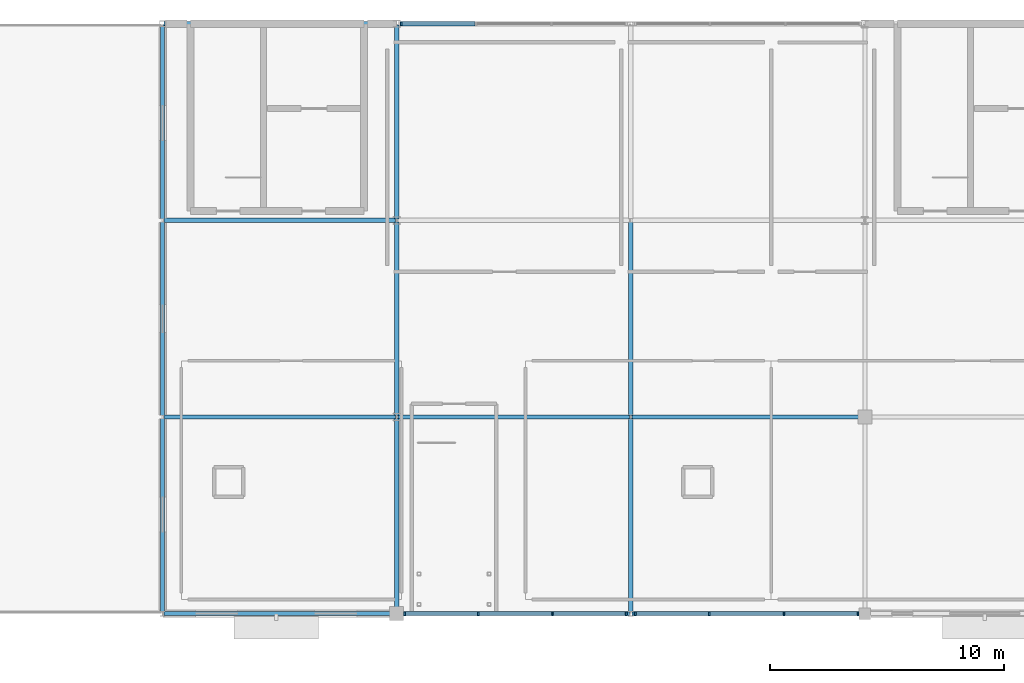
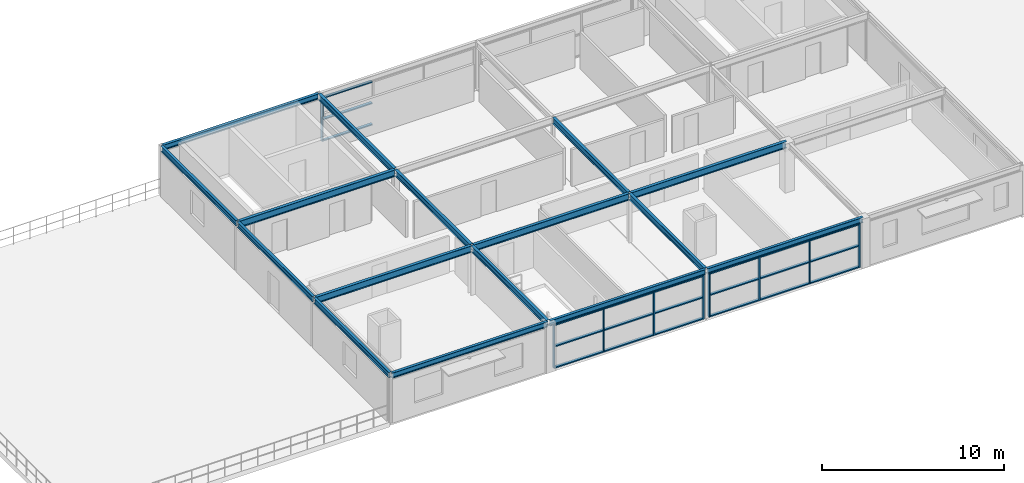
# One storey, part 7 of 12: 30 members, 16 beams, 3 elements without a shape of their own.
"""IFC4 building model written with IfcOpenShell, lengths in metres."""

from ifc_helpers import new_model, si_unit, derived_unit, direction, frame, origin, origin_2d_with_axis, place, context, subcontext, project, spatial, rectangle, i_section, extrude, material, material_profile, profile_set, type_object, element, aggregate, save


model = new_model("IFC4")

# Units and contexts
model_context = context("Model", 3, precision=1e-05, world=origin(), true_north=direction((0.0, 1.0)))
body_context = subcontext(model_context, "Body", "Model", "MODEL_VIEW")
ifc_project = project(units=[si_unit("LENGTHUNIT", "METRE"), si_unit("AREAUNIT", "SQUARE_METRE"), si_unit("VOLUMEUNIT", "CUBIC_METRE"), si_unit("PLANEANGLEUNIT", "RADIAN"), si_unit("MASSUNIT", "GRAM", prefix="KILO"), derived_unit("THERMALTRANSMITTANCEUNIT", [(si_unit("POWERUNIT", "WATT"), 1), (si_unit("LENGTHUNIT", "METRE"), -2), (si_unit("THERMODYNAMICTEMPERATUREUNIT", "KELVIN"), -1)])], contexts=[model_context])

# Site, building, storey
site_placement = place(None, origin())
site = spatial("IfcSite", under=ifc_project, at=site_placement, CompositionType="ELEMENT")
building_placement = place(site_placement, origin())
building = spatial("IfcBuilding", under=site, at=building_placement, Name="Cinnabar Yard Market Hall", CompositionType="ELEMENT")
storey_placement = place(building_placement, frame((0.0, 0.0, 15.300048828125)))
storey = spatial("IfcBuildingStorey", under=building, at=storey_placement, Name="L04", CompositionType="ELEMENT", Elevation=15.300048828125)

# Beams
ifc_material_1 = material(Name="Steel Grade 300 (300 MPa)", Category="steel")
ifc_material_profile_1 = material_profile(ifc_material_1, i_section(OverallWidth=0.18994140625, OverallDepth=0.453857421875, WebThickness=0.008544921875, FlangeThickness=0.0126953125, FilletRadius=0.011474609375, at=origin_2d_with_axis()), Name="460UB67.1")
ifc_profile_set_1 = profile_set([ifc_material_profile_1], Name="Steel Grade 300 (300 MPa)")
beam_type_1 = type_object("IfcBeamType", Name="BM-B05", PredefinedType="BEAM", material=ifc_profile_set_1)
for number, where, z_axis, x_axis, name in (
    (1, (96.06005859375, 121.199951171875, 3.072998046875), (1.0, 0.0, 0.0), (0.0, 1.0, 0.0), "V3 L04 Girder X 01453"),
    (2, (96.06005859375, 129.60009765625, 3.072998046875), (1.0, 0.0, 0.0), (0.0, 1.0, 0.0), "V3 L04 Girder X 01454"),
    (3, (106.06005859375, 121.199951171875, 3.072998046875), (1.0, 0.0, 0.0), (0.0, 1.0, 0.0), "V3 L04 Girder X 01457"),
    (4, (116.06005859375, 121.199951171875, 3.072998046875), (1.0, 0.0, 0.0), (0.0, 1.0, 0.0), "V3 L04 Girder X 01461"),
):
    element("IfcBeam", number, at=place(storey_placement, frame(where, z_axis=z_axis, x_axis=x_axis)), inside=storey, type_object=beam_type_1, Name=name, PredefinedType="BEAM", context=body_context, shape_type="SweptSolid", body=[
        extrude(i_section(OverallWidth=0.18994140625, OverallDepth=0.453857421875, WebThickness=0.008544921875, FlangeThickness=0.0126953125, FilletRadius=0.011474609375, at=origin_2d_with_axis()), origin(), (0.0, 0.0, 1.0), 9.8798828125),
    ])
ifc_material_profile_2 = material_profile(ifc_material_1, i_section(OverallWidth=0.177978515625, OverallDepth=0.406494140625, WebThickness=0.0078125, FlangeThickness=0.0126953125, FilletRadius=0.011474609375, at=origin_2d_with_axis()), Name="410UB59.7")
ifc_profile_set_2 = profile_set([ifc_material_profile_2], Name="Steel Grade 300 (300 MPa)")
beam_type_2 = type_object("IfcBeamType", Name="BM-B06", PredefinedType="BEAM", material=ifc_profile_set_2)
beam_1_placement = place(storey_placement, frame((106.0, 112.860107421875, 3.0966796875), z_axis=(0.0, 1.0, 0.0), x_axis=(-1.0, 0.0, 0.0)))
element("IfcBeam", 5, at=beam_1_placement, inside=storey, type_object=beam_type_2, Name="V3 L04 Girder Y 01471", PredefinedType="BEAM", context=body_context, shape_type="SweptSolid", body=[
    extrude(i_section(OverallWidth=0.177978515625, OverallDepth=0.406494140625, WebThickness=0.0078125, FlangeThickness=0.0126953125, FilletRadius=0.011474609375, at=origin_2d_with_axis()), origin(), (0.0, 0.0, 1.0), 8.27978515625),
])
for number, where, z_axis, x_axis, name in (
    (6, (106.0, 121.260009765625, 3.0966796875), (0.0, 1.0, 0.0), (-1.0, 0.0, 0.0), "V3 L04 Girder Y 01472"),
    (7, (106.0, 129.659912109375, 3.0966796875), (0.0, 1.0, 0.0), (-1.0, 0.0, 0.0), "V3 L04 Girder Y 01473"),
):
    element("IfcBeam", number, at=place(storey_placement, frame(where, z_axis=z_axis, x_axis=x_axis)), inside=storey, type_object=beam_type_2, Name=name, PredefinedType="BEAM", context=body_context, shape_type="SweptSolid", body=[
        extrude(i_section(OverallWidth=0.177978515625, OverallDepth=0.406494140625, WebThickness=0.0078125, FlangeThickness=0.0126953125, FilletRadius=0.011474609375, at=origin_2d_with_axis()), origin(), (0.0, 0.0, 1.0), 8.280029296875),
    ])
beam_2_placement = place(storey_placement, frame((116.0, 112.860107421875, 3.0966796875), z_axis=(0.0, 1.0, 0.0), x_axis=(-1.0, 0.0, 0.0)))
element("IfcBeam", 8, at=beam_2_placement, inside=storey, type_object=beam_type_2, Name="V3 L04 Girder Y 01474", PredefinedType="BEAM", context=body_context, shape_type="SweptSolid", body=[
    extrude(i_section(OverallWidth=0.177978515625, OverallDepth=0.406494140625, WebThickness=0.0078125, FlangeThickness=0.0126953125, FilletRadius=0.011474609375, at=origin_2d_with_axis()), origin(), (0.0, 0.0, 1.0), 8.27978515625),
])
beam_3_placement = place(storey_placement, frame((116.0, 121.260009765625, 3.0966796875), z_axis=(0.0, 1.0, 0.0), x_axis=(-1.0, 0.0, 0.0)))
element("IfcBeam", 9, at=beam_3_placement, inside=storey, type_object=beam_type_2, Name="V3 L04 Girder Y 01475", PredefinedType="BEAM", context=body_context, shape_type="SweptSolid", body=[
    extrude(i_section(OverallWidth=0.177978515625, OverallDepth=0.406494140625, WebThickness=0.0078125, FlangeThickness=0.0126953125, FilletRadius=0.011474609375, at=origin_2d_with_axis()), origin(), (0.0, 0.0, 1.0), 8.280029296875),
])
ifc_material_profile_3 = material_profile(ifc_material_1, i_section(OverallWidth=0.172119140625, OverallDepth=0.358642578125, WebThickness=0.008056640625, FlangeThickness=0.012939453125, FilletRadius=0.011474609375, at=origin_2d_with_axis()), Name="360UB56.7")
ifc_profile_set_3 = profile_set([ifc_material_profile_3], Name="Steel Grade 300 (300 MPa)")
beam_type_3 = type_object("IfcBeamType", Name="BM-SP02E", PredefinedType="SPANDREL", material=ifc_profile_set_3)
for number, where, z_axis, x_axis, name in (
    (10, (96.06005859375, 112.800048828125, 3.12060546875), (1.0, 0.0, 0.0), (0.0, 1.0, 0.0), "V3 L04 Girder X 01452"),
    (11, (96.06005859375, 138.0, 3.12060546875), (1.0, 0.0, 0.0), (0.0, 1.0, 0.0), "V3 L04 Girder X 01455"),
    (12, (106.06005859375, 112.800048828125, 3.12060546875), (1.0, 0.0, 0.0), (0.0, 1.0, 0.0), "V3 L04 Girder X 01456"),
    (13, (116.06005859375, 112.800048828125, 3.12060546875), (1.0, 0.0, 0.0), (0.0, 1.0, 0.0), "V3 L04 Girder X 01460"),
):
    element("IfcBeam", number, at=place(storey_placement, frame(where, z_axis=z_axis, x_axis=x_axis)), inside=storey, type_object=beam_type_3, Name=name, PredefinedType="SPANDREL", context=body_context, shape_type="SweptSolid", body=[
        extrude(i_section(OverallWidth=0.172119140625, OverallDepth=0.358642578125, WebThickness=0.008056640625, FlangeThickness=0.012939453125, FilletRadius=0.011474609375, at=origin_2d_with_axis()), origin(), (0.0, 0.0, 1.0), 9.8798828125),
    ])
beam_4_placement = place(storey_placement, frame((96.0, 112.860107421875, 3.12060546875), z_axis=(0.0, 1.0, 0.0), x_axis=(-1.0, 0.0, 0.0)))
element("IfcBeam", 14, at=beam_4_placement, inside=storey, type_object=beam_type_3, Name="V3 L04 Girder Y 01468", PredefinedType="SPANDREL", context=body_context, shape_type="SweptSolid", body=[
    extrude(i_section(OverallWidth=0.172119140625, OverallDepth=0.358642578125, WebThickness=0.008056640625, FlangeThickness=0.012939453125, FilletRadius=0.011474609375, at=origin_2d_with_axis()), origin(), (0.0, 0.0, 1.0), 8.27978515625),
])
for number, where, z_axis, x_axis, name in (
    (15, (96.0, 121.260009765625, 3.12060546875), (0.0, 1.0, 0.0), (-1.0, 0.0, 0.0), "V3 L04 Girder Y 01469"),
    (16, (96.0, 129.659912109375, 3.12060546875), (0.0, 1.0, 0.0), (-1.0, 0.0, 0.0), "V3 L04 Girder Y 01470"),
):
    element("IfcBeam", number, at=place(storey_placement, frame(where, z_axis=z_axis, x_axis=x_axis)), inside=storey, type_object=beam_type_3, Name=name, PredefinedType="SPANDREL", context=body_context, shape_type="SweptSolid", body=[
        extrude(i_section(OverallWidth=0.172119140625, OverallDepth=0.358642578125, WebThickness=0.008056640625, FlangeThickness=0.012939453125, FilletRadius=0.011474609375, at=origin_2d_with_axis()), origin(), (0.0, 0.0, 1.0), 8.280029296875),
    ])

# Curtain wall, members
ifc_material_2 = material(Name="Anodised bronze aluminium courtyard facade", Category="aluminium")
curtain_wall_type_1 = type_object("IfcCurtainWallType", Name="CW-CWF095x29", PredefinedType="NOTDEFINED", material=ifc_material_2)
curtain_wall_1_placement = place(storey_placement, origin())
curtain_wall_1 = element("IfcCurtainWall", 17, at=curtain_wall_1_placement, inside=storey, type_object=curtain_wall_type_1, Name="Wing South Pishtaq Glazing L04 Bay 2", PredefinedType="NOTDEFINED")
ifc_material_3 = material(Name="Anodised bronze aluminium", Category="aluminium")
ifc_material_profile_4 = material_profile(ifc_material_3, rectangle(XDim=0.179931640625, YDim=0.074951171875, at=origin_2d_with_axis()), Name="MUL-CWF")
ifc_profile_set_4 = profile_set([ifc_material_profile_4], Name="Anodised bronze aluminium")
member_type_1 = type_object("IfcMemberType", Name="CWM-CWF", PredefinedType="MULLION", material=ifc_profile_set_4)
member_1_placement = place(storey_placement, frame((106.341552734375, 112.800048828125, 0.0), z_axis=(0.0, 0.0, 1.0), x_axis=(0.0, 1.0, 0.0)))
member_1 = element("IfcMember", 18, at=member_1_placement, type_object=member_type_1, Name="CWF095x29 mullion 1", PredefinedType="MULLION", context=body_context, shape_type="SweptSolid", body=[
    extrude(rectangle(XDim=0.179931640625, YDim=0.074951171875, at=origin_2d_with_axis()), origin(), (0.0, 0.0, 1.0), 2.93994140625),
])
member_2_placement = place(storey_placement, frame((109.482666015625, 112.800048828125, 0.0), z_axis=(0.0, 0.0, 1.0), x_axis=(0.0, 1.0, 0.0)))
member_2 = element("IfcMember", 19, at=member_2_placement, type_object=member_type_1, Name="CWF095x29 mullion 2", PredefinedType="MULLION", context=body_context, shape_type="SweptSolid", body=[
    extrude(rectangle(XDim=0.179931640625, YDim=0.074951171875, at=origin_2d_with_axis()), origin(), (0.0, 0.0, 1.0), 2.93994140625),
])
member_3_placement = place(storey_placement, frame((112.661376953125, 112.800048828125, 0.0), z_axis=(0.0, 0.0, 1.0), x_axis=(0.0, 1.0, 0.0)))
member_3 = element("IfcMember", 20, at=member_3_placement, type_object=member_type_1, Name="CWF095x29 mullion 3", PredefinedType="MULLION", context=body_context, shape_type="SweptSolid", body=[
    extrude(rectangle(XDim=0.179931640625, YDim=0.074951171875, at=origin_2d_with_axis()), origin(), (0.0, 0.0, 1.0), 2.93994140625),
])
member_4_placement = place(storey_placement, frame((115.802490234375, 112.800048828125, 0.0), z_axis=(0.0, 0.0, 1.0), x_axis=(0.0, 1.0, 0.0)))
member_4 = element("IfcMember", 21, at=member_4_placement, type_object=member_type_1, Name="CWF095x29 mullion 4", PredefinedType="MULLION", context=body_context, shape_type="SweptSolid", body=[
    extrude(rectangle(XDim=0.179931640625, YDim=0.074951171875, at=origin_2d_with_axis()), origin(), (0.0, 0.0, 1.0), 2.93994140625),
])

# Curtain wall, member
curtain_wall_type_2 = type_object("IfcCurtainWallType", Name="CW-CWF097x29", PredefinedType="NOTDEFINED", material=ifc_material_2)
curtain_wall_2_placement = place(storey_placement, origin())
curtain_wall_2 = element("IfcCurtainWall", 22, at=curtain_wall_2_placement, inside=storey, type_object=curtain_wall_type_2, Name="Wing North Pishtaq Glazing L04 Bay 2", PredefinedType="NOTDEFINED")
member_5_placement = place(storey_placement, frame((106.197509765625, 138.0, 0.0), z_axis=(0.0, 0.0, 1.0), x_axis=(0.0, -1.0, 0.0)))
member_5 = element("IfcMember", 23, at=member_5_placement, type_object=member_type_1, Name="CWF097x29 mullion 4", PredefinedType="MULLION", context=body_context, shape_type="SweptSolid", body=[
    extrude(rectangle(XDim=0.179931640625, YDim=0.074951171875, at=origin_2d_with_axis()), origin(), (0.0, 0.0, 1.0), 2.93994140625),
])

# Curtain wall, members
curtain_wall_type_3 = type_object("IfcCurtainWallType", Name="CW-CWF096x29", PredefinedType="NOTDEFINED", material=ifc_material_2)
curtain_wall_3_placement = place(storey_placement, origin())
curtain_wall_3 = element("IfcCurtainWall", 24, at=curtain_wall_3_placement, inside=storey, type_object=curtain_wall_type_3, Name="Wing South Pishtaq Glazing L04 Bay 3", PredefinedType="NOTDEFINED")
member_6_placement = place(storey_placement, frame((116.197509765625, 112.800048828125, 0.0), z_axis=(0.0, 0.0, 1.0), x_axis=(0.0, 1.0, 0.0)))
member_6 = element("IfcMember", 25, at=member_6_placement, type_object=member_type_1, Name="CWF096x29 mullion 1", PredefinedType="MULLION", context=body_context, shape_type="SweptSolid", body=[
    extrude(rectangle(XDim=0.179931640625, YDim=0.074951171875, at=origin_2d_with_axis()), origin(), (0.0, 0.0, 1.0), 2.93994140625),
])
member_7_placement = place(storey_placement, frame((119.355224609375, 112.800048828125, 0.0), z_axis=(0.0, 0.0, 1.0), x_axis=(0.0, 1.0, 0.0)))
member_7 = element("IfcMember", 26, at=member_7_placement, type_object=member_type_1, Name="CWF096x29 mullion 2", PredefinedType="MULLION", context=body_context, shape_type="SweptSolid", body=[
    extrude(rectangle(XDim=0.179931640625, YDim=0.074951171875, at=origin_2d_with_axis()), origin(), (0.0, 0.0, 1.0), 2.93994140625),
])
member_8_placement = place(storey_placement, frame((122.55078125, 112.800048828125, 0.0), z_axis=(0.0, 0.0, 1.0), x_axis=(0.0, 1.0, 0.0)))
member_8 = element("IfcMember", 27, at=member_8_placement, type_object=member_type_1, Name="CWF096x29 mullion 3", PredefinedType="MULLION", context=body_context, shape_type="SweptSolid", body=[
    extrude(rectangle(XDim=0.179931640625, YDim=0.074951171875, at=origin_2d_with_axis()), origin(), (0.0, 0.0, 1.0), 2.93994140625),
])
member_9_placement = place(storey_placement, frame((125.70849609375, 112.800048828125, 0.0), z_axis=(0.0, 0.0, 1.0), x_axis=(0.0, 1.0, 0.0)))
member_9 = element("IfcMember", 28, at=member_9_placement, type_object=member_type_1, Name="CWF096x29 mullion 4", PredefinedType="MULLION", context=body_context, shape_type="SweptSolid", body=[
    extrude(rectangle(XDim=0.179931640625, YDim=0.074951171875, at=origin_2d_with_axis()), origin(), (0.0, 0.0, 1.0), 2.93994140625),
])

# Member
ifc_material_profile_5 = material_profile(ifc_material_3, rectangle(XDim=0.179931640625, YDim=0.074951171875, at=origin_2d_with_axis()), Name="TRN-CWF")
ifc_profile_set_5 = profile_set([ifc_material_profile_5], Name="Anodised bronze aluminium")
member_type_2 = type_object("IfcMemberType", Name="CWT-CWF", PredefinedType="USERDEFINED", material=ifc_profile_set_5)
member_10_placement = place(storey_placement, frame((106.37890625, 112.800048828125, 0.037353515625), z_axis=(1.0, 0.0, 0.0), x_axis=(0.0, 1.0, 0.0)))
member_10 = element("IfcMember", 29, at=member_10_placement, type_object=member_type_2, Name="CWF095x29 transom 1.1", ObjectType="TRANSOM", PredefinedType="USERDEFINED", context=body_context, shape_type="SweptSolid", body=[
    extrude(rectangle(XDim=0.179931640625, YDim=0.074951171875, at=origin_2d_with_axis()), origin(), (0.0, 0.0, 1.0), 3.066162109375),
])

member_11_placement = place(storey_placement, frame((106.37890625, 112.800048828125, 1.469970703125), z_axis=(1.0, 0.0, 0.0), x_axis=(0.0, 1.0, 0.0)))
member_11 = element("IfcMember", 30, at=member_11_placement, type_object=member_type_2, Name="CWF095x29 transom 1.2", ObjectType="TRANSOM", PredefinedType="USERDEFINED", context=body_context, shape_type="SweptSolid", body=[
    extrude(rectangle(XDim=0.179931640625, YDim=0.074951171875, at=origin_2d_with_axis()), origin(), (0.0, 0.0, 1.0), 3.066162109375),
])

member_12_placement = place(storey_placement, frame((106.37890625, 112.800048828125, 2.90234375), z_axis=(1.0, 0.0, 0.0), x_axis=(0.0, 1.0, 0.0)))
member_12 = element("IfcMember", 31, at=member_12_placement, type_object=member_type_2, Name="CWF095x29 transom 1.3", ObjectType="TRANSOM", PredefinedType="USERDEFINED", context=body_context, shape_type="SweptSolid", body=[
    extrude(rectangle(XDim=0.179931640625, YDim=0.074951171875, at=origin_2d_with_axis()), origin(), (0.0, 0.0, 1.0), 3.066162109375),
])

member_13_placement = place(storey_placement, frame((109.520263671875, 112.800048828125, 0.037353515625), z_axis=(1.0, 0.0, 0.0), x_axis=(0.0, 1.0, 0.0)))
member_13 = element("IfcMember", 32, at=member_13_placement, type_object=member_type_2, Name="CWF095x29 transom 2.1", ObjectType="TRANSOM", PredefinedType="USERDEFINED", context=body_context, shape_type="SweptSolid", body=[
    extrude(rectangle(XDim=0.179931640625, YDim=0.074951171875, at=origin_2d_with_axis()), origin(), (0.0, 0.0, 1.0), 3.103515625),
])

member_14_placement = place(storey_placement, frame((109.520263671875, 112.800048828125, 1.469970703125), z_axis=(1.0, 0.0, 0.0), x_axis=(0.0, 1.0, 0.0)))
member_14 = element("IfcMember", 33, at=member_14_placement, type_object=member_type_2, Name="CWF095x29 transom 2.2", ObjectType="TRANSOM", PredefinedType="USERDEFINED", context=body_context, shape_type="SweptSolid", body=[
    extrude(rectangle(XDim=0.179931640625, YDim=0.074951171875, at=origin_2d_with_axis()), origin(), (0.0, 0.0, 1.0), 3.103515625),
])

member_15_placement = place(storey_placement, frame((109.520263671875, 112.800048828125, 2.90234375), z_axis=(1.0, 0.0, 0.0), x_axis=(0.0, 1.0, 0.0)))
member_15 = element("IfcMember", 34, at=member_15_placement, type_object=member_type_2, Name="CWF095x29 transom 2.3", ObjectType="TRANSOM", PredefinedType="USERDEFINED", context=body_context, shape_type="SweptSolid", body=[
    extrude(rectangle(XDim=0.179931640625, YDim=0.074951171875, at=origin_2d_with_axis()), origin(), (0.0, 0.0, 1.0), 3.103515625),
])

member_16_placement = place(storey_placement, frame((112.69873046875, 112.800048828125, 0.037353515625), z_axis=(1.0, 0.0, 0.0), x_axis=(0.0, 1.0, 0.0)))
member_16 = element("IfcMember", 35, at=member_16_placement, type_object=member_type_2, Name="CWF095x29 transom 3.1", ObjectType="TRANSOM", PredefinedType="USERDEFINED", context=body_context, shape_type="SweptSolid", body=[
    extrude(rectangle(XDim=0.179931640625, YDim=0.074951171875, at=origin_2d_with_axis()), origin(), (0.0, 0.0, 1.0), 3.066162109375),
])

member_17_placement = place(storey_placement, frame((112.69873046875, 112.800048828125, 1.469970703125), z_axis=(1.0, 0.0, 0.0), x_axis=(0.0, 1.0, 0.0)))
member_17 = element("IfcMember", 36, at=member_17_placement, type_object=member_type_2, Name="CWF095x29 transom 3.2", ObjectType="TRANSOM", PredefinedType="USERDEFINED", context=body_context, shape_type="SweptSolid", body=[
    extrude(rectangle(XDim=0.179931640625, YDim=0.074951171875, at=origin_2d_with_axis()), origin(), (0.0, 0.0, 1.0), 3.066162109375),
])

member_18_placement = place(storey_placement, frame((112.69873046875, 112.800048828125, 2.90234375), z_axis=(1.0, 0.0, 0.0), x_axis=(0.0, 1.0, 0.0)))
member_18 = element("IfcMember", 37, at=member_18_placement, type_object=member_type_2, Name="CWF095x29 transom 3.3", ObjectType="TRANSOM", PredefinedType="USERDEFINED", context=body_context, shape_type="SweptSolid", body=[
    extrude(rectangle(XDim=0.179931640625, YDim=0.074951171875, at=origin_2d_with_axis()), origin(), (0.0, 0.0, 1.0), 3.066162109375),
])

aggregate(curtain_wall_1, [member_1, member_2, member_3, member_4, member_10, member_11, member_12, member_13, member_14, member_15, member_16, member_17, member_18])

member_19_placement = place(storey_placement, frame((109.34912109375, 138.0, 0.037353515625), z_axis=(-1.0, 0.0, 0.0), x_axis=(0.0, -1.0, 0.0)))
member_19 = element("IfcMember", 38, at=member_19_placement, type_object=member_type_2, Name="CWF097x29 transom 3.1", ObjectType="TRANSOM", PredefinedType="USERDEFINED", context=body_context, shape_type="SweptSolid", body=[
    extrude(rectangle(XDim=0.179931640625, YDim=0.074951171875, at=origin_2d_with_axis()), origin(), (0.0, 0.0, 1.0), 3.114013671875),
])

member_20_placement = place(storey_placement, frame((109.34912109375, 138.0, 1.469970703125), z_axis=(-1.0, 0.0, 0.0), x_axis=(0.0, -1.0, 0.0)))
member_20 = element("IfcMember", 39, at=member_20_placement, type_object=member_type_2, Name="CWF097x29 transom 3.2", ObjectType="TRANSOM", PredefinedType="USERDEFINED", context=body_context, shape_type="SweptSolid", body=[
    extrude(rectangle(XDim=0.179931640625, YDim=0.074951171875, at=origin_2d_with_axis()), origin(), (0.0, 0.0, 1.0), 3.114013671875),
])

member_21_placement = place(storey_placement, frame((109.34912109375, 138.0, 2.90234375), z_axis=(-1.0, 0.0, 0.0), x_axis=(0.0, -1.0, 0.0)))
member_21 = element("IfcMember", 40, at=member_21_placement, type_object=member_type_2, Name="CWF097x29 transom 3.3", ObjectType="TRANSOM", PredefinedType="USERDEFINED", context=body_context, shape_type="SweptSolid", body=[
    extrude(rectangle(XDim=0.179931640625, YDim=0.074951171875, at=origin_2d_with_axis()), origin(), (0.0, 0.0, 1.0), 3.114013671875),
])

aggregate(curtain_wall_2, [member_5, member_19, member_20, member_21])

member_22_placement = place(storey_placement, frame((116.235107421875, 112.800048828125, 0.037353515625), z_axis=(1.0, 0.0, 0.0), x_axis=(0.0, 1.0, 0.0)))
member_22 = element("IfcMember", 41, at=member_22_placement, type_object=member_type_2, Name="CWF096x29 transom 1.1", ObjectType="TRANSOM", PredefinedType="USERDEFINED", context=body_context, shape_type="SweptSolid", body=[
    extrude(rectangle(XDim=0.179931640625, YDim=0.074951171875, at=origin_2d_with_axis()), origin(), (0.0, 0.0, 1.0), 3.082763671875),
])

member_23_placement = place(storey_placement, frame((116.235107421875, 112.800048828125, 1.469970703125), z_axis=(1.0, 0.0, 0.0), x_axis=(0.0, 1.0, 0.0)))
member_23 = element("IfcMember", 42, at=member_23_placement, type_object=member_type_2, Name="CWF096x29 transom 1.2", ObjectType="TRANSOM", PredefinedType="USERDEFINED", context=body_context, shape_type="SweptSolid", body=[
    extrude(rectangle(XDim=0.179931640625, YDim=0.074951171875, at=origin_2d_with_axis()), origin(), (0.0, 0.0, 1.0), 3.082763671875),
])

member_24_placement = place(storey_placement, frame((116.235107421875, 112.800048828125, 2.90234375), z_axis=(1.0, 0.0, 0.0), x_axis=(0.0, 1.0, 0.0)))
member_24 = element("IfcMember", 43, at=member_24_placement, type_object=member_type_2, Name="CWF096x29 transom 1.3", ObjectType="TRANSOM", PredefinedType="USERDEFINED", context=body_context, shape_type="SweptSolid", body=[
    extrude(rectangle(XDim=0.179931640625, YDim=0.074951171875, at=origin_2d_with_axis()), origin(), (0.0, 0.0, 1.0), 3.082763671875),
])

member_25_placement = place(storey_placement, frame((119.392822265625, 112.800048828125, 0.037353515625), z_axis=(1.0, 0.0, 0.0), x_axis=(0.0, 1.0, 0.0)))
member_25 = element("IfcMember", 44, at=member_25_placement, type_object=member_type_2, Name="CWF096x29 transom 2.1", ObjectType="TRANSOM", PredefinedType="USERDEFINED", context=body_context, shape_type="SweptSolid", body=[
    extrude(rectangle(XDim=0.179931640625, YDim=0.074951171875, at=origin_2d_with_axis()), origin(), (0.0, 0.0, 1.0), 3.120361328125),
])

member_26_placement = place(storey_placement, frame((119.392822265625, 112.800048828125, 1.469970703125), z_axis=(1.0, 0.0, 0.0), x_axis=(0.0, 1.0, 0.0)))
member_26 = element("IfcMember", 45, at=member_26_placement, type_object=member_type_2, Name="CWF096x29 transom 2.2", ObjectType="TRANSOM", PredefinedType="USERDEFINED", context=body_context, shape_type="SweptSolid", body=[
    extrude(rectangle(XDim=0.179931640625, YDim=0.074951171875, at=origin_2d_with_axis()), origin(), (0.0, 0.0, 1.0), 3.120361328125),
])

member_27_placement = place(storey_placement, frame((119.392822265625, 112.800048828125, 2.90234375), z_axis=(1.0, 0.0, 0.0), x_axis=(0.0, 1.0, 0.0)))
member_27 = element("IfcMember", 46, at=member_27_placement, type_object=member_type_2, Name="CWF096x29 transom 2.3", ObjectType="TRANSOM", PredefinedType="USERDEFINED", context=body_context, shape_type="SweptSolid", body=[
    extrude(rectangle(XDim=0.179931640625, YDim=0.074951171875, at=origin_2d_with_axis()), origin(), (0.0, 0.0, 1.0), 3.120361328125),
])

member_28_placement = place(storey_placement, frame((122.588134765625, 112.800048828125, 0.037353515625), z_axis=(1.0, 0.0, 0.0), x_axis=(0.0, 1.0, 0.0)))
member_28 = element("IfcMember", 47, at=member_28_placement, type_object=member_type_2, Name="CWF096x29 transom 3.1", ObjectType="TRANSOM", PredefinedType="USERDEFINED", context=body_context, shape_type="SweptSolid", body=[
    extrude(rectangle(XDim=0.179931640625, YDim=0.074951171875, at=origin_2d_with_axis()), origin(), (0.0, 0.0, 1.0), 3.082763671875),
])

member_29_placement = place(storey_placement, frame((122.588134765625, 112.800048828125, 1.469970703125), z_axis=(1.0, 0.0, 0.0), x_axis=(0.0, 1.0, 0.0)))
member_29 = element("IfcMember", 48, at=member_29_placement, type_object=member_type_2, Name="CWF096x29 transom 3.2", ObjectType="TRANSOM", PredefinedType="USERDEFINED", context=body_context, shape_type="SweptSolid", body=[
    extrude(rectangle(XDim=0.179931640625, YDim=0.074951171875, at=origin_2d_with_axis()), origin(), (0.0, 0.0, 1.0), 3.082763671875),
])

member_30_placement = place(storey_placement, frame((122.588134765625, 112.800048828125, 2.90234375), z_axis=(1.0, 0.0, 0.0), x_axis=(0.0, 1.0, 0.0)))
member_30 = element("IfcMember", 49, at=member_30_placement, type_object=member_type_2, Name="CWF096x29 transom 3.3", ObjectType="TRANSOM", PredefinedType="USERDEFINED", context=body_context, shape_type="SweptSolid", body=[
    extrude(rectangle(XDim=0.179931640625, YDim=0.074951171875, at=origin_2d_with_axis()), origin(), (0.0, 0.0, 1.0), 3.082763671875),
])

aggregate(curtain_wall_3, [member_6, member_7, member_8, member_9, member_22, member_23, member_24, member_25, member_26, member_27, member_28, member_29, member_30])

save(model, "model.ifc")
